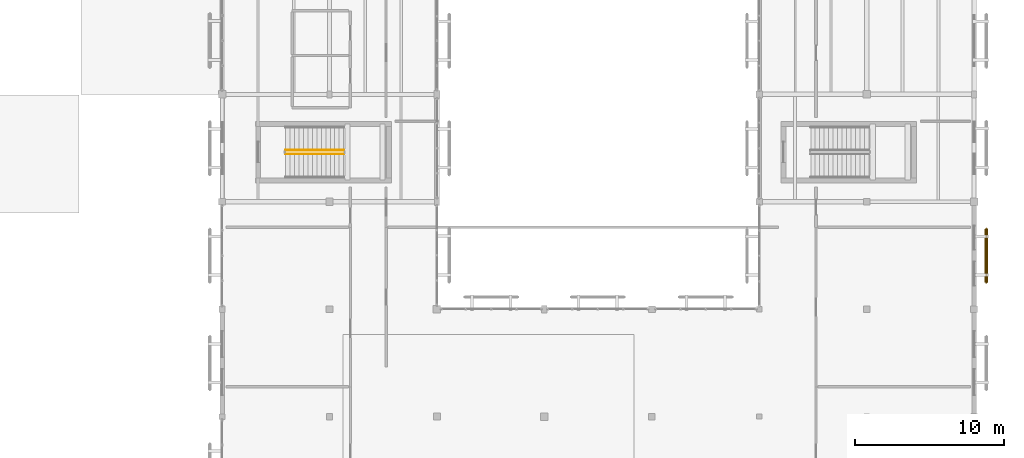
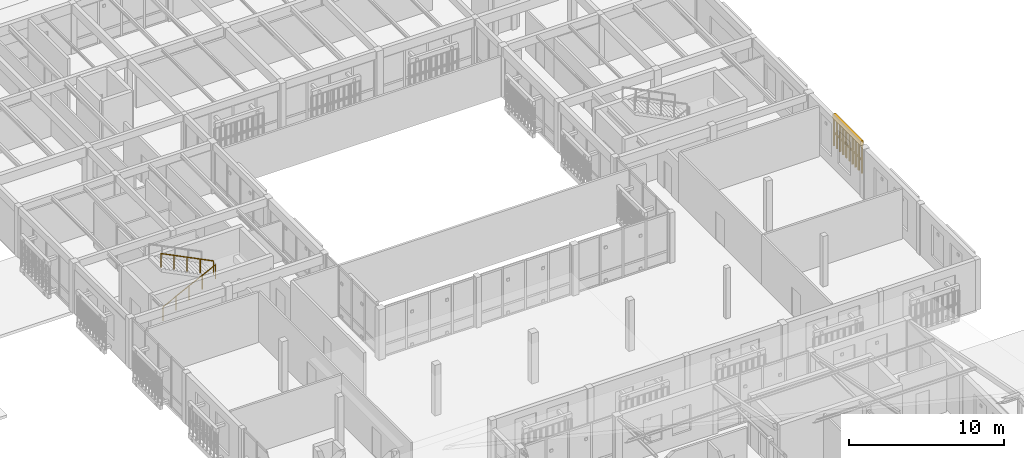
# One storey, part 108 of 112: 4 railings, 1 covering.
"""IFC4 building model written with IfcOpenShell, lengths in metres."""

from ifc_helpers import new_model, si_unit, direction, frame, origin, origin_2d, place, context, subcontext, project, spatial, polyline, circle, outline, extrude, material, layer, layer_set, type_object, element, save


model = new_model("IFC4")

# Units and contexts
model_context = context("Model", 3, precision=1e-05, world=origin(), true_north=direction((0.0, 1.0)))
body_context = subcontext(model_context, "Body", "Model", "MODEL_VIEW")
ifc_project = project(units=[si_unit("LENGTHUNIT", "METRE"), si_unit("AREAUNIT", "SQUARE_METRE"), si_unit("VOLUMEUNIT", "CUBIC_METRE"), si_unit("PLANEANGLEUNIT", "RADIAN"), si_unit("MASSUNIT", "GRAM", prefix="KILO")], contexts=[model_context])

# Site, building, storey
site_placement = place(None, origin())
site = spatial("IfcSite", under=ifc_project, at=site_placement, CompositionType="ELEMENT")
building_placement = place(site_placement, origin())
building = spatial("IfcBuilding", under=site, at=building_placement, Name="Mazaris Harbour Polytechnic", CompositionType="ELEMENT")
storey_placement = place(building_placement, frame((0.0, 0.0, 13.800048828125)))
storey = spatial("IfcBuildingStorey", under=building, at=storey_placement, Name="L03", CompositionType="ELEMENT", Elevation=13.800048828125)

# Railings
ifc_material_1 = material(Name="Perforated Earth-Coloured Terracotta Block", Category="masonry")
railing_type_1 = type_object("IfcRailingType", Name="Perforated Earth-Block Claustra Lattice 1040", PredefinedType="BALUSTRADE", material=ifc_material_1)
for number, where, name in (
    (1, (173.6201171875, 66.590087890625, 0.52001953125), "V5 L03 Lower Perforated Terracotta Block Screen 468"),
    (2, (173.6201171875, 66.590087890625, 1.60986328125), "V5 L03 Upper Perforated Terracotta Block Screen 468"),
):
    element("IfcRailing", number, at=place(storey_placement, frame(where)), inside=storey, type_object=railing_type_1, Name=name, PredefinedType="BALUSTRADE", context=body_context, shape_type="SweptSolid", body=[
        extrude(circle(Radius=0.06982421875, at=origin_2d()), frame((0.0, 0.0, 1.02001953125), z_axis=(0.0, -1.0, 0.0), x_axis=(1.0, 0.0, 0.0)), (0.0, 0.0, 1.0), 3.60009765625),
        extrude(circle(Radius=0.074951171875, at=origin_2d()), origin(), (0.0, 0.0, 1.0), 0.9501953125),
        extrude(circle(Radius=0.074951171875, at=origin_2d()), frame((0.0, -0.39990234375, 0.0)), (0.0, 0.0, 1.0), 0.9501953125),
        extrude(circle(Radius=0.074951171875, at=origin_2d()), frame((0.0, -0.800048828125, 0.0)), (0.0, 0.0, 1.0), 0.9501953125),
        extrude(circle(Radius=0.074951171875, at=origin_2d()), frame((0.0, -1.199951171875, 0.0)), (0.0, 0.0, 1.0), 0.9501953125),
        extrude(circle(Radius=0.074951171875, at=origin_2d()), frame((0.0, -1.60009765625, 0.0)), (0.0, 0.0, 1.0), 0.9501953125),
        extrude(circle(Radius=0.074951171875, at=origin_2d()), frame((0.0, -2.0, 0.0)), (0.0, 0.0, 1.0), 0.9501953125),
        extrude(circle(Radius=0.074951171875, at=origin_2d()), frame((0.0, -2.400146484375, 0.0)), (0.0, 0.0, 1.0), 0.9501953125),
        extrude(circle(Radius=0.074951171875, at=origin_2d()), frame((0.0, -2.800048828125, 0.0)), (0.0, 0.0, 1.0), 0.9501953125),
        extrude(circle(Radius=0.074951171875, at=origin_2d()), frame((0.0, -3.2001953125, 0.0)), (0.0, 0.0, 1.0), 0.9501953125),
        extrude(circle(Radius=0.074951171875, at=origin_2d()), frame((0.0, -3.60009765625, 0.0)), (0.0, 0.0, 1.0), 0.9501953125),
    ])
ifc_material_2 = material(Name="Steel S355", Category="steel")
railing_type_2 = type_object("IfcRailingType", Name="Stair Well Guardrail 1100", PredefinedType="GUARDRAIL", material=ifc_material_2)
railing_1_placement = place(storey_placement, frame((126.64990234375, 71.60009765625, 0.14990234375)))
element("IfcRailing", 3, at=railing_1_placement, inside=storey, type_object=railing_type_2, Name="L03 ST09 stair guard 1", PredefinedType="GUARDRAIL", context=body_context, shape_type="SweptSolid", body=[
    extrude(circle(Radius=0.02392578125, at=origin_2d()), frame((0.0, 0.0, 1.076171875), z_axis=(0.894438388696, 0.0, 0.447191199406), x_axis=(0.0, 1.0, 0.0)), (0.0, 0.0, 1.0), 4.3603515625),
    extrude(circle(Radius=0.02099609375, at=origin_2d()), origin(), (0.0, 0.0, 1.0), 1.052001953125),
    extrude(circle(Radius=0.02099609375, at=origin_2d()), frame((0.97509765625, 0.0, 0.487548828125)), (0.0, 0.0, 1.0), 1.052001953125),
    extrude(circle(Radius=0.02099609375, at=origin_2d()), frame((1.9501953125, 0.0, 0.97509765625)), (0.0, 0.0, 1.0), 1.052001953125),
    extrude(circle(Radius=0.02099609375, at=origin_2d()), frame((2.925048828125, 0.0, 1.46240234375)), (0.0, 0.0, 1.0), 1.052001953125),
    extrude(circle(Radius=0.02099609375, at=origin_2d()), frame((3.900146484375, 0.0, 1.949951171875)), (0.0, 0.0, 1.0), 1.052001953125),
])
railing_2_placement = place(storey_placement, frame((130.550048828125, 71.85009765625, 2.25)))
element("IfcRailing", 4, at=railing_2_placement, inside=storey, type_object=railing_type_2, Name="L03 ST09 stair guard 3", PredefinedType="GUARDRAIL", context=body_context, shape_type="SweptSolid", body=[
    extrude(circle(Radius=0.02392578125, at=origin_2d()), frame((0.0, 0.0, 1.076171875), z_axis=(-0.894438388696, 0.0, 0.447191199406), x_axis=(0.0, -1.0, 0.0)), (0.0, 0.0, 1.0), 4.3603515625),
    extrude(circle(Radius=0.02099609375, at=origin_2d()), origin(), (0.0, 0.0, 1.0), 1.052001953125),
    extrude(circle(Radius=0.02099609375, at=origin_2d()), frame((-0.97509765625, 0.0, 0.487548828125)), (0.0, 0.0, 1.0), 1.052001953125),
    extrude(circle(Radius=0.02099609375, at=origin_2d()), frame((-1.9501953125, 0.0, 0.97509765625)), (0.0, 0.0, 1.0), 1.052001953125),
    extrude(circle(Radius=0.02099609375, at=origin_2d()), frame((-2.925048828125, 0.0, 1.46240234375)), (0.0, 0.0, 1.0), 1.052001953125),
    extrude(circle(Radius=0.02099609375, at=origin_2d()), frame((-3.900146484375, 0.0, 1.949951171875)), (0.0, 0.0, 1.0), 1.052001953125),
])

# Covering
ifc_material_3 = material(Name="Perforated Earth-Coloured Terracotta Block", Category="masonry")
ifc_layer = layer(ifc_material_3, 0.219970703125, Name="Perforated Earth-Coloured Terracotta Block")
ifc_layer_set = layer_set([ifc_layer], Name="Perforated Earth-Coloured Terracotta Block")
covering_type = type_object("IfcCoveringType", Name="Terracotta Screen Course Cladding 220", PredefinedType="CLADDING", material=ifc_layer_set)
covering_placement = place(storey_placement, frame((0.0, 0.0, 2.699951171875)))
element("IfcCovering", 5, at=covering_placement, inside=storey, type_object=covering_type, Name="V5 L03 Perforated Screen Lintel Course 468", PredefinedType="CLADDING", context=body_context, shape_type="SweptSolid", body=[
    extrude(outline(polyline([(173.510009765625, 66.590087890625), (173.510009765625, 62.989990234375), (173.72998046875, 62.989990234375), (173.72998046875, 66.590087890625), (173.510009765625, 66.590087890625)])), origin(), (0.0, 0.0, 1.0), 0.340087890625),
])

save(model, "model.ifc")
